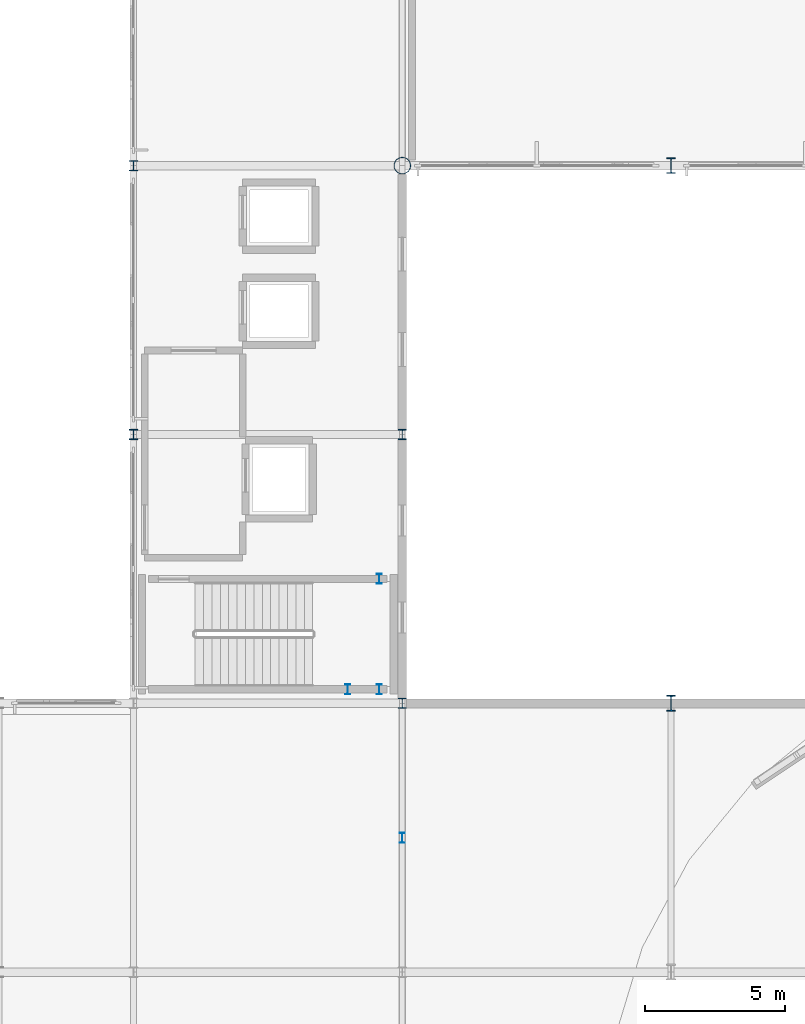
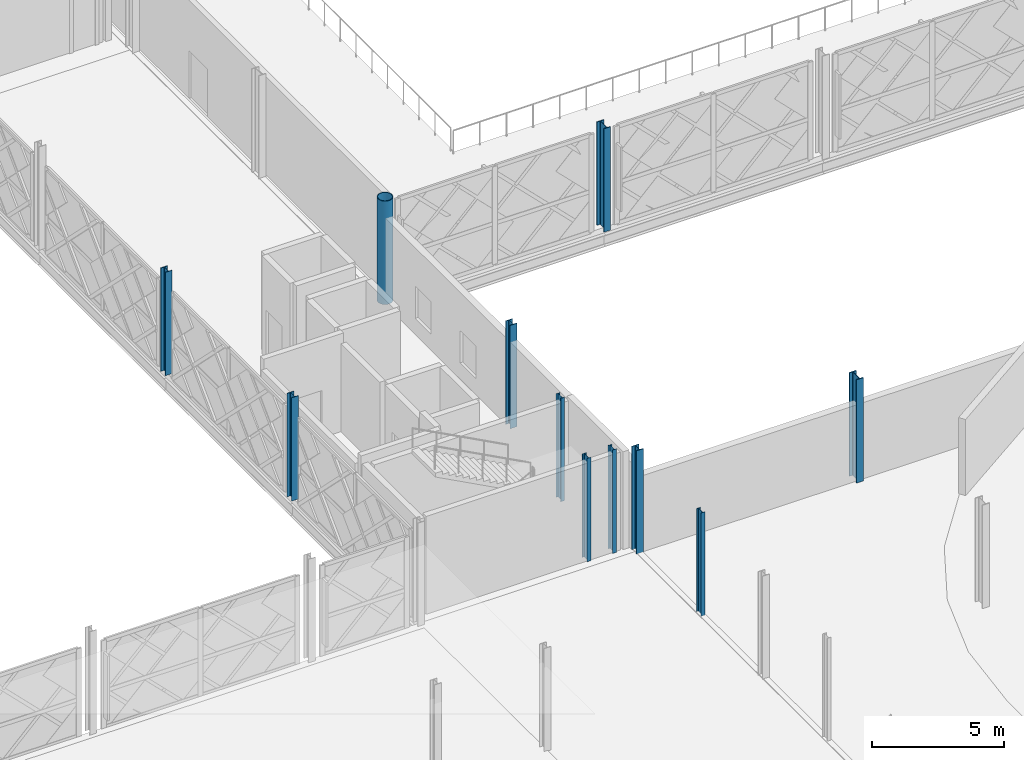
# One storey, part 7 of 77: 11 columns.
"""IFC4 building model written with IfcOpenShell, lengths in metres."""

from ifc_helpers import new_model, si_unit, direction, frame, origin, origin_2d, place, context, subcontext, project, spatial, hollow_circle, i_section, extrude, material, material_profile, profile_set, type_object, element, save


model = new_model("IFC4")

# Units and contexts
model_context = context("Model", 3, precision=1e-05, world=origin(), true_north=direction((0.0, 1.0)))
body_context = subcontext(model_context, "Body", "Model", "MODEL_VIEW")
ifc_project = project(units=[si_unit("LENGTHUNIT", "METRE"), si_unit("AREAUNIT", "SQUARE_METRE"), si_unit("VOLUMEUNIT", "CUBIC_METRE"), si_unit("PLANEANGLEUNIT", "RADIAN"), si_unit("MASSUNIT", "GRAM", prefix="KILO")], contexts=[model_context])

# Site, building, storey
site_placement = place(None, origin())
site = spatial("IfcSite", under=ifc_project, at=site_placement, CompositionType="ELEMENT")
building_placement = place(site_placement, origin())
building = spatial("IfcBuilding", under=site, at=building_placement, Name="Zevrakil Square Congress Hotel", CompositionType="ELEMENT")
storey_placement = place(building_placement, frame((0.0, 0.0, 9.89990234375)))
storey = spatial("IfcBuildingStorey", under=building, at=storey_placement, Name="L03", CompositionType="ELEMENT", Elevation=9.89990234375)

# Columns
ifc_material_1 = material(Name="Steel S355", Category="steel")
ifc_material_profile_1 = material_profile(ifc_material_1, hollow_circle(Radius=0.304931640625, WallThickness=0.02490234375, at=origin_2d()), Name="CHS 610x25")
ifc_profile_set_1 = profile_set([ifc_material_profile_1], Name="Steel S355")
column_type_1 = type_object("IfcColumnType", Name="COL-CHS610", PredefinedType="COLUMN", material=ifc_profile_set_1)
column_1_placement = place(storey_placement, frame((117.60009765625, 64.800048828125, 0.0), z_axis=(0.0, 0.0, 1.0), x_axis=(1.0, 0.0, 0.0)))
element("IfcColumn", 1, at=column_1_placement, inside=storey, type_object=column_type_1, Name="L03 column C-188", PredefinedType="COLUMN", context=body_context, shape_type="SweptSolid", body=[
    extrude(hollow_circle(Radius=0.304931640625, WallThickness=0.02490234375, at=origin_2d()), origin(), (0.0, 0.0, 1.0), 4.800048828125),
])
ifc_material_2 = material(Name="Steel S355", Category="steel")
ifc_material_profile_2 = material_profile(ifc_material_2, i_section(OverallWidth=0.300048828125, OverallDepth=0.360107421875, WebThickness=0.012451171875, FlangeThickness=0.0224609375, FilletRadius=0.027099609375, at=origin_2d()), Name="HEB 360")
ifc_profile_set_2 = profile_set([ifc_material_profile_2], Name="Steel S355")
column_type_2 = type_object("IfcColumnType", Name="COL-HEB360", PredefinedType="COLUMN", material=ifc_profile_set_2)
for number, where, z_axis, x_axis, name in (
    (2, (108.0, 55.199951171875, 0.0), (0.0, 0.0, 1.0), (1.0, 0.0, 0.0), "L03 column C-169"),
    (3, (108.0, 64.800048828125, 0.0), (0.0, 0.0, 1.0), (1.0, 0.0, 0.0), "L03 column C-170"),
    (4, (117.60009765625, 45.60009765625, 0.0), (0.0, 0.0, 1.0), (1.0, 0.0, 0.0), "L03 column C-186"),
    (5, (117.60009765625, 55.199951171875, 0.0), (0.0, 0.0, 1.0), (1.0, 0.0, 0.0), "L03 column C-187"),
):
    element("IfcColumn", number, at=place(storey_placement, frame(where, z_axis=z_axis, x_axis=x_axis)), inside=storey, type_object=column_type_2, Name=name, PredefinedType="COLUMN", context=body_context, shape_type="SweptSolid", body=[
        extrude(i_section(OverallWidth=0.300048828125, OverallDepth=0.360107421875, WebThickness=0.012451171875, FlangeThickness=0.0224609375, FilletRadius=0.027099609375, at=origin_2d()), origin(), (0.0, 0.0, 1.0), 4.800048828125),
    ])
ifc_material_3 = material(Name="Steel S355", Category="steel")
ifc_material_profile_3 = material_profile(ifc_material_3, i_section(OverallWidth=0.300048828125, OverallDepth=0.550048828125, WebThickness=0.014892578125, FlangeThickness=0.029052734375, FilletRadius=0.027099609375, at=origin_2d()), Name="HEB 550")
ifc_profile_set_3 = profile_set([ifc_material_profile_3], Name="Steel S355")
column_type_3 = type_object("IfcColumnType", Name="COL-HEB550", PredefinedType="COLUMN", material=ifc_profile_set_3)
column_2_placement = place(storey_placement, frame((127.199951171875, 64.800048828125, 0.0), z_axis=(0.0, 0.0, 1.0), x_axis=(1.0, 0.0, 0.0)))
element("IfcColumn", 6, at=column_2_placement, inside=storey, type_object=column_type_3, Name="L03 column C-201", PredefinedType="COLUMN", context=body_context, shape_type="SweptSolid", body=[
    extrude(i_section(OverallWidth=0.300048828125, OverallDepth=0.550048828125, WebThickness=0.014892578125, FlangeThickness=0.029052734375, FilletRadius=0.027099609375, at=origin_2d()), origin(), (0.0, 0.0, 1.0), 4.800048828125),
])
ifc_material_4 = material(Name="Steel S355", Category="steel")
ifc_material_profile_4 = material_profile(ifc_material_4, i_section(OverallWidth=0.305908203125, OverallDepth=0.572021484375, WebThickness=0.02099609375, FlangeThickness=0.0400390625, FilletRadius=0.027099609375, at=origin_2d()), Name="HEM 550")
ifc_profile_set_4 = profile_set([ifc_material_profile_4], Name="Steel S355")
column_type_4 = type_object("IfcColumnType", Name="COL-HEM550", PredefinedType="COLUMN", material=ifc_profile_set_4)
column_3_placement = place(storey_placement, frame((127.199951171875, 45.60009765625, 0.0), z_axis=(0.0, 0.0, 1.0), x_axis=(1.0, 0.0, 0.0)))
element("IfcColumn", 7, at=column_3_placement, inside=storey, type_object=column_type_4, Name="L03 column C-200", PredefinedType="COLUMN", context=body_context, shape_type="SweptSolid", body=[
    extrude(i_section(OverallWidth=0.305908203125, OverallDepth=0.572021484375, WebThickness=0.02099609375, FlangeThickness=0.0400390625, FilletRadius=0.027099609375, at=origin_2d()), origin(), (0.0, 0.0, 1.0), 4.800048828125),
])
ifc_material_5 = material(Name="Steel S355", Category="steel")
ifc_material_profile_5 = material_profile(ifc_material_5, i_section(OverallWidth=0.169921875, OverallDepth=0.360107421875, WebThickness=0.008056640625, FlangeThickness=0.0126953125, FilletRadius=0.01806640625, at=origin_2d()), Name="IPE 360")
ifc_profile_set_5 = profile_set([ifc_material_profile_5], Name="Steel S355")
column_type_5 = type_object("IfcColumnType", Name="COL-PILASTER-SHS180", PredefinedType="PILASTER", material=ifc_profile_set_5)
for number, where, z_axis, x_axis, name in (
    (8, (117.60009765625, 40.800048828125, 0.0), (0.0, 0.0, 1.0), (1.0, 0.0, 0.0), "L03 pilaster PL-08"),
    (9, (115.64990234375, 46.10009765625, 0.0), (0.0, 0.0, 1.0), (1.0, 0.0, 0.0), "L03 ST07 stair shaft post 1"),
    (10, (116.780029296875, 46.10009765625, 0.0), (0.0, 0.0, 1.0), (1.0, 0.0, 0.0), "L03 ST07 stair shaft post 2"),
    (11, (116.780029296875, 50.050048828125, 0.0), (0.0, 0.0, 1.0), (1.0, 0.0, 0.0), "L03 ST07 stair shaft post 3"),
):
    element("IfcColumn", number, at=place(storey_placement, frame(where, z_axis=z_axis, x_axis=x_axis)), inside=storey, type_object=column_type_5, Name=name, PredefinedType="PILASTER", context=body_context, shape_type="SweptSolid", body=[
        extrude(i_section(OverallWidth=0.169921875, OverallDepth=0.360107421875, WebThickness=0.008056640625, FlangeThickness=0.0126953125, FilletRadius=0.01806640625, at=origin_2d()), origin(), (0.0, 0.0, 1.0), 4.800048828125),
    ])

save(model, "model.ifc")
